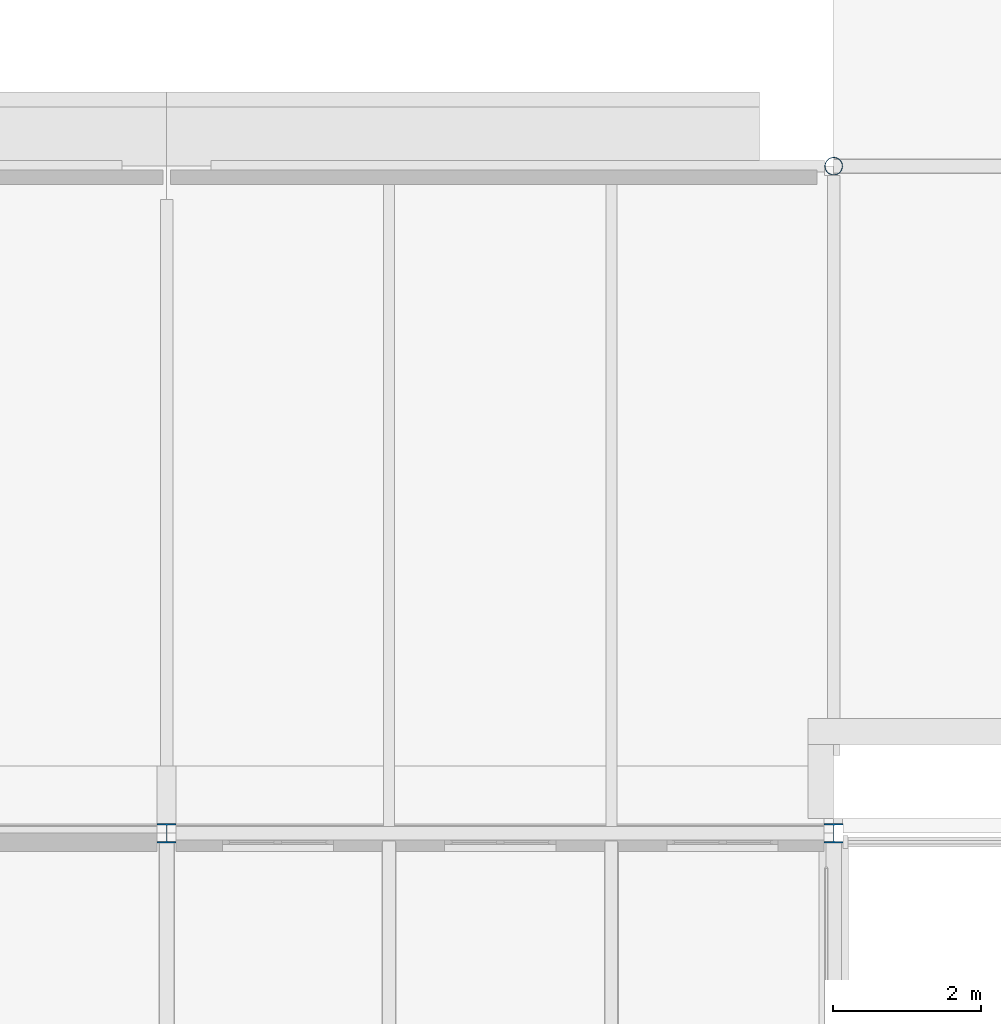
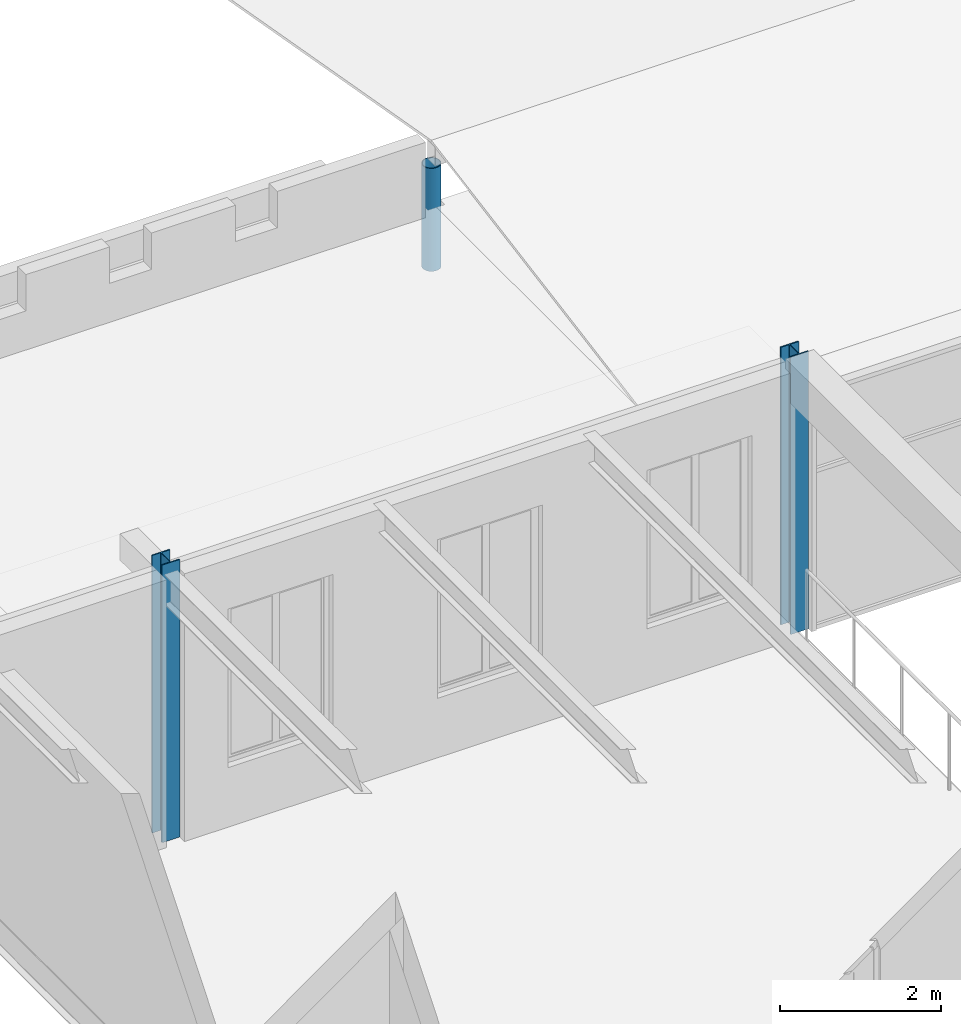
# One storey, part 11 of 123: 3 columns.
"""IFC4 building model written with IfcOpenShell, lengths in metres."""

from ifc_helpers import new_model, si_unit, direction, frame, origin, origin_2d, place, context, subcontext, project, spatial, hollow_circle, i_section, extrude, material, material_profile, profile_set, type_object, element, save


model = new_model("IFC4")

# Units and contexts
model_context = context("Model", 3, precision=1e-05, world=origin(), true_north=direction((0.0, 1.0)))
body_context = subcontext(model_context, "Body", "Model", "MODEL_VIEW")
ifc_project = project(units=[si_unit("LENGTHUNIT", "METRE"), si_unit("AREAUNIT", "SQUARE_METRE"), si_unit("VOLUMEUNIT", "CUBIC_METRE"), si_unit("PLANEANGLEUNIT", "RADIAN"), si_unit("MASSUNIT", "GRAM", prefix="KILO")], contexts=[model_context])

# Site, building, storey
site_placement = place(None, origin())
site = spatial("IfcSite", under=ifc_project, at=site_placement, CompositionType="ELEMENT")
building_placement = place(site_placement, origin())
building = spatial("IfcBuilding", under=site, at=building_placement, Name="Baradari Gate Terminus", CompositionType="ELEMENT")
storey_placement = place(building_placement, frame((0.0, 0.0, 7.5)))
storey = spatial("IfcBuildingStorey", under=building, at=storey_placement, Name="L01", CompositionType="ELEMENT", Elevation=7.5)

# Columns
ifc_material_1 = material(Name="Steel S355", Category="steel")
ifc_material_profile_1 = material_profile(ifc_material_1, hollow_circle(Radius=0.122314453125, WallThickness=0.010009765625, at=origin_2d()), Name="CHS 244.5x10")
ifc_profile_set_1 = profile_set([ifc_material_profile_1], Name="Steel S355")
column_type_1 = type_object("IfcColumnType", Name="Canopy column CHS 244.5x10", PredefinedType="COLUMN", material=ifc_profile_set_1)
column_placement = place(storey_placement, frame((135.0, 117.0, 0.0), z_axis=(0.0, 0.0, 1.0), x_axis=(1.0, 0.0, 0.0)))
element("IfcColumn", 1, at=column_placement, inside=storey, type_object=column_type_1, Name="COL/L01/CC01U", PredefinedType="COLUMN", context=body_context, shape_type="SweptSolid", body=[
    extrude(hollow_circle(Radius=0.122314453125, WallThickness=0.010009765625, at=origin_2d()), origin(), (0.0, 0.0, 1.0), 1.559326171875),
])
ifc_material_2 = material(Name="Steel S355", Category="steel")
ifc_material_profile_2 = material_profile(ifc_material_2, i_section(OverallWidth=0.25634765625, OverallDepth=0.26025390625, WebThickness=0.01025390625, FlangeThickness=0.017333984375, FilletRadius=0.0126953125, at=origin_2d()), Name="UC 254x254x89")
ifc_profile_set_2 = profile_set([ifc_material_profile_2], Name="Steel S355")
column_type_2 = type_object("IfcColumnType", Name="Head-house facade column C08 UC 254x254x89", PredefinedType="COLUMN", material=ifc_profile_set_2)
for number, where, z_axis, x_axis, name in (
    (2, (126.0, 108.0, 0.0), (0.0, 0.0, 1.0), (1.0, 0.0, 0.0), "C08 column 15-N L01"),
    (3, (135.0, 108.0, 0.0), (0.0, 0.0, 1.0), (1.0, 0.0, 0.0), "C08 column 16-N L01"),
):
    element("IfcColumn", number, at=place(storey_placement, frame(where, z_axis=z_axis, x_axis=x_axis)), inside=storey, type_object=column_type_2, Name=name, PredefinedType="COLUMN", context=body_context, shape_type="SweptSolid", body=[
        extrude(i_section(OverallWidth=0.25634765625, OverallDepth=0.26025390625, WebThickness=0.01025390625, FlangeThickness=0.017333984375, FilletRadius=0.0126953125, at=origin_2d()), origin(), (0.0, 0.0, 1.0), 4.199951171875),
    ])

save(model, "model.ifc")
